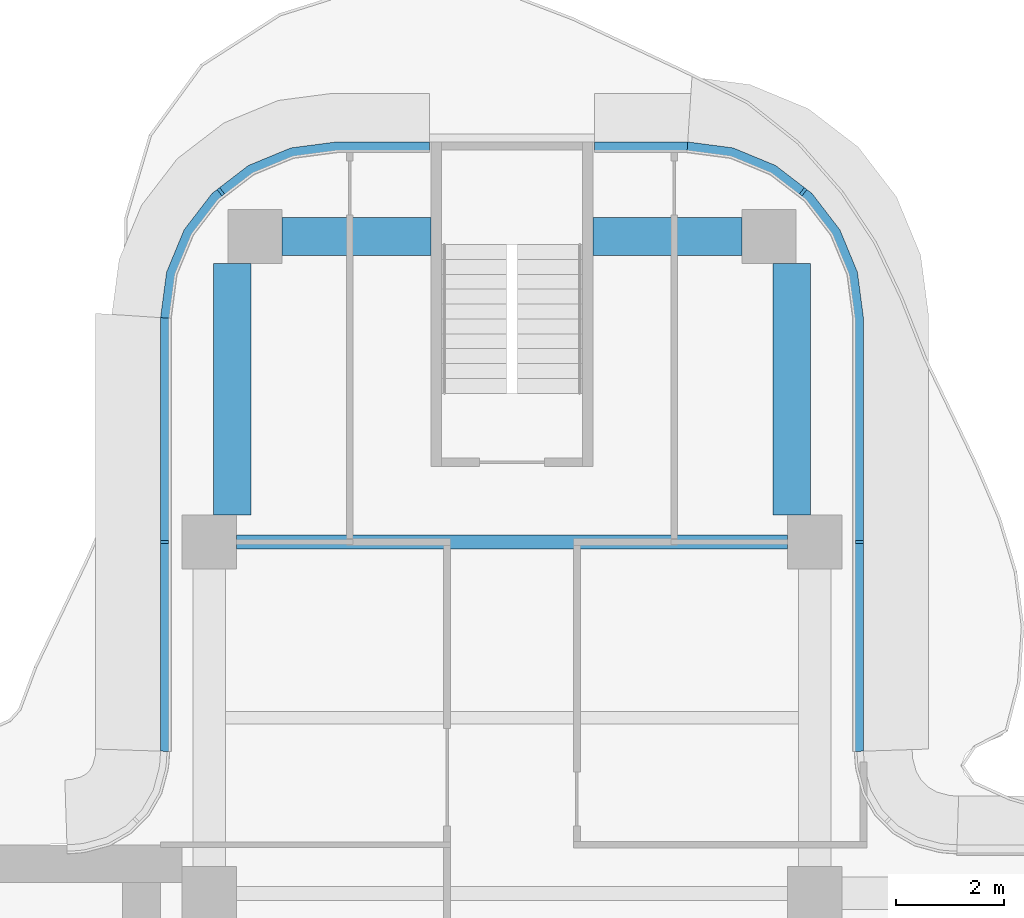
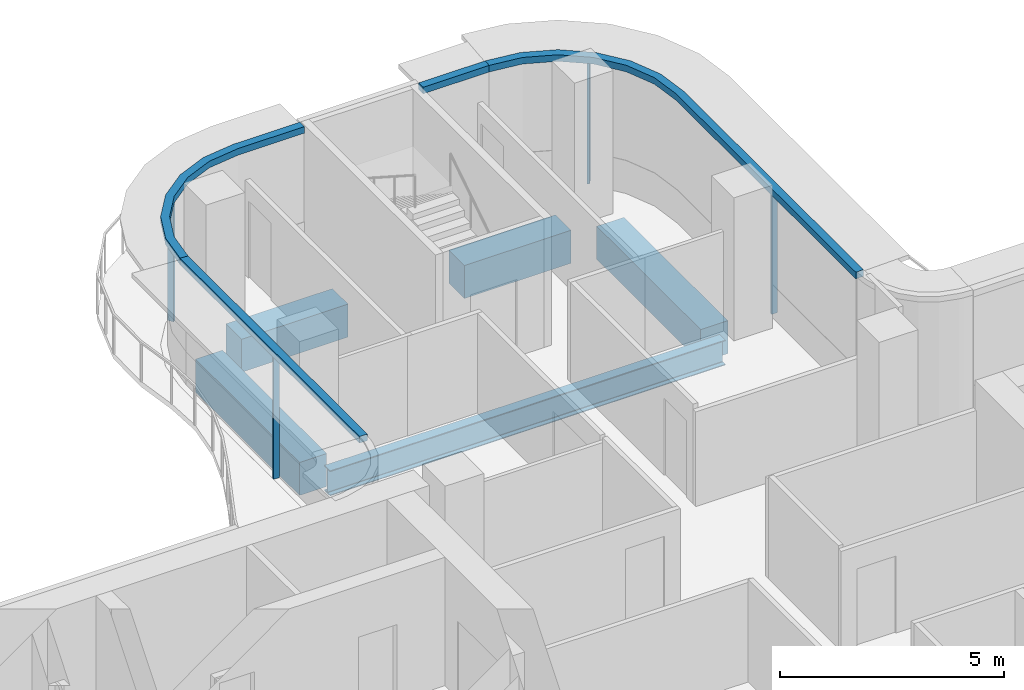
# One storey, part 7 of 15: 8 members, 5 beams, 4 elements without a shape of their own.
"""IFC4 building model written with IfcOpenShell, lengths in metres."""

from ifc_helpers import new_model, si_unit, direction, frame, origin, origin_2d, place, context, subcontext, project, spatial, polyline, rectangle, i_section, outline, extrude, source, transform, mapped, material, layer, layer_set, material_profile, profile_set, type_object, element, aggregate, save


model = new_model("IFC4")

# Units and contexts
model_context = context("Model", 3, precision=1e-05, world=origin(), true_north=direction((0.0, 1.0)))
body_context = subcontext(model_context, "Body", "Model", "MODEL_VIEW")
ifc_project = project(units=[si_unit("LENGTHUNIT", "METRE"), si_unit("AREAUNIT", "SQUARE_METRE"), si_unit("VOLUMEUNIT", "CUBIC_METRE"), si_unit("PLANEANGLEUNIT", "RADIAN"), si_unit("MASSUNIT", "GRAM", prefix="KILO")], contexts=[model_context])

# Site, building, storey
site_placement = place(None, origin())
site = spatial("IfcSite", under=ifc_project, at=site_placement, CompositionType="ELEMENT")
building_placement = place(site_placement, origin())
building = spatial("IfcBuilding", under=site, at=building_placement, Name="Trellis Farm Tower", CompositionType="ELEMENT")
storey_placement = place(building_placement, frame((0.0, 0.0, 326.199951171875)))
storey = spatial("IfcBuildingStorey", under=building, at=storey_placement, Name="L74", CompositionType="ELEMENT", Elevation=326.199951171875)

# Beams
ifc_material_1 = material(Name="Steel S355", Category="steel")
ifc_material_profile_1 = material_profile(ifc_material_1, i_section(OverallWidth=0.253662109375, OverallDepth=0.68359375, WebThickness=0.012451171875, FlangeThickness=0.021728515625, FilletRadius=0.01513671875, at=origin_2d()), Name="UB 686x254x140")
ifc_profile_set_1 = profile_set([ifc_material_profile_1], Name="Steel S355")
beam_type_1 = type_object("IfcBeamType", Name="UB 686x254x140", PredefinedType="BEAM", material=ifc_profile_set_1)
shared_shape_1 = source(origin(), body_context, "Body", "SweptSolid", [
    extrude(i_section(OverallWidth=0.253662109375, OverallDepth=0.68359375, WebThickness=0.012451171875, FlangeThickness=0.021728515625, FilletRadius=0.01513671875, at=origin_2d()), origin(), (0.0, 0.0, 1.0), 10.2001953125),
])
beam_placement = place(storey_placement, frame((-5.10009765625, 12.10009765625, -0.541748046875), z_axis=(1.0, 0.0, 0.0), x_axis=(0.0, 1.0, 0.0)))
element("IfcBeam", 1, at=beam_placement, inside=storey, type_object=beam_type_1, Name="Girder", PredefinedType="BEAM", context=body_context, shape_type="MappedRepresentation", body=[
    mapped(shared_shape_1, transform((0.0, 0.0, 0.0))),
])
ifc_material_2 = material(Name="Concrete C60/75", Category="concrete")
ifc_material_profile_2 = material_profile(ifc_material_2, rectangle(XDim=0.699951171875, YDim=0.89990234375, at=origin_2d()), Name="RC spandrel beam 700x900 C60/75")
ifc_profile_set_2 = profile_set([ifc_material_profile_2], Name="Concrete C60/75")
beam_type_2 = type_object("IfcBeamType", Name="RC spandrel beam 700x900 C60/75", PredefinedType="SPANDREL", material=ifc_profile_set_2)
shared_shape_2 = source(origin(), body_context, "Body", "SweptSolid", [
    extrude(rectangle(XDim=0.699951171875, YDim=0.89990234375, at=origin_2d()), origin(), (0.0, 0.0, 1.0), 4.64990234375),
])
for number, where, z_axis, x_axis, name in (
    (2, (-5.175048828125, 12.60009765625, -0.64990234375), (0.0, 1.0, 0.0), (-1.0, 0.0, 0.0), "Girder"),
    (3, (5.175048828125, 12.60009765625, -0.64990234375), (0.0, 1.0, 0.0), (-1.0, 0.0, 0.0), "Girder"),
):
    element("IfcBeam", number, at=place(storey_placement, frame(where, z_axis=z_axis, x_axis=x_axis)), inside=storey, type_object=beam_type_2, Name=name, PredefinedType="SPANDREL", context=body_context, shape_type="MappedRepresentation", body=[
        mapped(shared_shape_2, transform((0.0, 0.0, 0.0))),
    ])
shared_shape_3 = source(origin(), body_context, "Body", "SweptSolid", [
    extrude(rectangle(XDim=0.699951171875, YDim=0.89990234375, at=origin_2d()), origin(), (0.0, 0.0, 1.0), 2.75),
])
for number, where, z_axis, x_axis, name in (
    (4, (-4.25, 17.75, -0.64990234375), (1.0, 0.0, 0.0), (0.0, 1.0, 0.0), "Girder"),
    (5, (1.5, 17.75, -0.64990234375), (1.0, 0.0, 0.0), (0.0, 1.0, 0.0), "Girder"),
):
    element("IfcBeam", number, at=place(storey_placement, frame(where, z_axis=z_axis, x_axis=x_axis)), inside=storey, type_object=beam_type_2, Name=name, PredefinedType="SPANDREL", context=body_context, shape_type="MappedRepresentation", body=[
        mapped(shared_shape_3, transform((0.0, 0.0, 0.0))),
    ])

# Curtain wall, member
ifc_material_3 = material(Name="Aluminium and glass curtain wall", Category="aluminium")
ifc_layer_1 = layer(ifc_material_3, 0.18994140625)
ifc_layer_set_1 = layer_set([ifc_layer_1], Name="RIBBON CURTAIN WALL CW1")
curtain_wall_type = type_object("IfcCurtainWallType", Name="RIBBON CURTAIN WALL CW1", PredefinedType="NOTDEFINED", material=ifc_layer_set_1)
placement_1 = place(storey_placement, origin())
curtain_wall_1 = element("IfcCurtainWall", 6, at=placement_1, inside=storey, type_object=curtain_wall_type, Name="CW1 009", PredefinedType="NOTDEFINED")
ifc_material_4 = material(Name="Aluminium extrusion 6063-T6", Category="aluminium")
ifc_layer_2 = layer(ifc_material_4, 0.199951171875)
ifc_layer_set_2 = layer_set([ifc_layer_2], Name="Aluminium extrusion 6063-T6")
member_type_1 = type_object("IfcMemberType", Name="CW1 TRANSOM 200x180", PredefinedType="USERDEFINED", material=ifc_layer_set_2)
shared_shape_4 = source(origin(), body_context, "Body", "SweptSolid", [
    extrude(outline(polyline([(6.5, 8.2314453125), (6.5, 16.25), (6.38916015625, 17.091064453125), (6.064697265625, 17.875), (5.548095703125, 18.548095703125), (4.875, 19.064697265625), (4.091064453125, 19.38916015625), (3.25, 19.5), (3.23681640625, 19.300048828125), (4.0390625, 19.1943359375), (4.774169921875, 18.889892578125), (5.405517578125, 18.405517578125), (5.889892578125, 17.774169921875), (6.1943359375, 17.0390625), (6.300048828125, 16.23681640625), (6.300048828125, 8.224853515625), (6.5, 8.2314453125)])), origin(), (0.0, 0.0, 1.0), 0.179931640625),
])
placement_2 = place(storey_placement, frame((0.0, 0.0, 3.320068359375)))
member_1 = element("IfcMember", 7, at=placement_2, type_object=member_type_1, Name="TR1 009", ObjectType="TRANSOM", PredefinedType="USERDEFINED", context=body_context, shape_type="MappedRepresentation", body=[
    mapped(shared_shape_4, transform((0.0, 0.0, 0.0))),
])

curtain_wall_2 = element("IfcCurtainWall", 8, at=placement_1, inside=storey, type_object=curtain_wall_type, Name="CW1 010", PredefinedType="NOTDEFINED")
shared_shape_5 = source(origin(), body_context, "Body", "SweptSolid", [
    extrude(outline(polyline([(3.25, 19.5), (1.530029296875, 19.5), (1.530029296875, 19.300048828125), (3.23681640625, 19.300048828125), (3.25, 19.5)])), origin(), (0.0, 0.0, 1.0), 0.179931640625),
])
member_2 = element("IfcMember", 9, at=placement_2, type_object=member_type_1, Name="TR1 010", ObjectType="TRANSOM", PredefinedType="USERDEFINED", context=body_context, shape_type="MappedRepresentation", body=[
    mapped(shared_shape_5, transform((0.0, 0.0, 0.0))),
])
aggregate(curtain_wall_2, [member_2])

curtain_wall_3 = element("IfcCurtainWall", 10, at=placement_1, inside=storey, type_object=curtain_wall_type, Name="CW1 012", PredefinedType="NOTDEFINED")
shared_shape_6 = source(origin(), body_context, "Body", "SweptSolid", [
    extrude(outline(polyline([(-6.5, 16.25), (-6.5, 8.2314453125), (-6.300048828125, 8.224853515625), (-6.300048828125, 16.23681640625), (-6.5, 16.25)])), origin(), (0.0, 0.0, 1.0), 0.179931640625),
])
member_3 = element("IfcMember", 11, at=placement_2, type_object=member_type_1, Name="TR1 012", ObjectType="TRANSOM", PredefinedType="USERDEFINED", context=body_context, shape_type="MappedRepresentation", body=[
    mapped(shared_shape_6, transform((0.0, 0.0, 0.0))),
])

curtain_wall_4 = element("IfcCurtainWall", 12, at=placement_1, inside=storey, type_object=curtain_wall_type, Name="CW1 011", PredefinedType="NOTDEFINED")
shared_shape_7 = source(origin(), body_context, "Body", "SweptSolid", [
    extrude(outline(polyline([(-1.530029296875, 19.5), (-3.25, 19.5), (-4.091064453125, 19.38916015625), (-4.875, 19.064697265625), (-5.548095703125, 18.548095703125), (-6.064697265625, 17.875), (-6.38916015625, 17.091064453125), (-6.5, 16.25), (-6.300048828125, 16.23681640625), (-6.1943359375, 17.0390625), (-5.889892578125, 17.774169921875), (-5.405517578125, 18.405517578125), (-4.774169921875, 18.889892578125), (-4.0390625, 19.1943359375), (-3.23681640625, 19.300048828125), (-1.530029296875, 19.300048828125), (-1.530029296875, 19.5)])), origin(), (0.0, 0.0, 1.0), 0.179931640625),
])
member_4 = element("IfcMember", 13, at=placement_2, type_object=member_type_1, Name="TR1 011", ObjectType="TRANSOM", PredefinedType="USERDEFINED", context=body_context, shape_type="MappedRepresentation", body=[
    mapped(shared_shape_7, transform((0.0, 0.0, 0.0))),
])

# Member
ifc_material_profile_3 = material_profile(ifc_material_4, rectangle(XDim=0.06005859375, YDim=0.14990234375, at=origin_2d()), Name="MULLION 60x150")
ifc_profile_set_3 = profile_set([ifc_material_profile_3], Name="Aluminium extrusion 6063-T6")
member_type_2 = type_object("IfcMemberType", Name="CW1 MULLION 60x150", PredefinedType="MULLION", material=ifc_profile_set_3)
shared_shape_8 = source(origin(), body_context, "Body", "SweptSolid", [
    extrude(rectangle(XDim=0.06005859375, YDim=0.14990234375, at=origin_2d()), origin(), (0.0, 0.0, 1.0), 3.320068359375),
])
member_5_placement = place(storey_placement, frame((6.425048828125, 12.10009765625, 0.0), z_axis=(0.0, 0.0, 1.0), x_axis=(0.0, 1.0, 0.0)))
member_5 = element("IfcMember", 14, at=member_5_placement, type_object=member_type_2, Name="MU1 009-01", PredefinedType="MULLION", context=body_context, shape_type="MappedRepresentation", body=[
    mapped(shared_shape_8, transform((0.0, 0.0, 0.0))),
])

member_6_placement = place(storey_placement, frame((5.385498046875, 18.578369140625, 0.0), z_axis=(0.0, 0.0, 1.0), x_axis=(-0.793353340291, 0.608761429009, 0.0)))
member_6 = element("IfcMember", 15, at=member_6_placement, type_object=member_type_2, Name="MU1 009-02", PredefinedType="MULLION", context=body_context, shape_type="MappedRepresentation", body=[
    mapped(shared_shape_8, transform((0.0, 0.0, 0.0))),
])

aggregate(curtain_wall_1, [member_5, member_6, member_1])

member_7_placement = place(storey_placement, frame((-5.385498046875, 18.578369140625, 0.0), z_axis=(0.0, 0.0, 1.0), x_axis=(-0.793353340291, -0.608761429009, 0.0)))
member_7 = element("IfcMember", 16, at=member_7_placement, type_object=member_type_2, Name="MU1 011-01", PredefinedType="MULLION", context=body_context, shape_type="MappedRepresentation", body=[
    mapped(shared_shape_8, transform((0.0, 0.0, 0.0))),
])

aggregate(curtain_wall_4, [member_7, member_4])

member_8_placement = place(storey_placement, frame((-6.425048828125, 12.10009765625, 0.0), z_axis=(0.0, 0.0, 1.0), x_axis=(0.0, -1.0, 0.0)))
member_8 = element("IfcMember", 17, at=member_8_placement, type_object=member_type_2, Name="MU1 012-01", PredefinedType="MULLION", context=body_context, shape_type="MappedRepresentation", body=[
    mapped(shared_shape_8, transform((0.0, 0.0, 0.0))),
])

aggregate(curtain_wall_3, [member_8, member_3])

save(model, "model.ifc")
